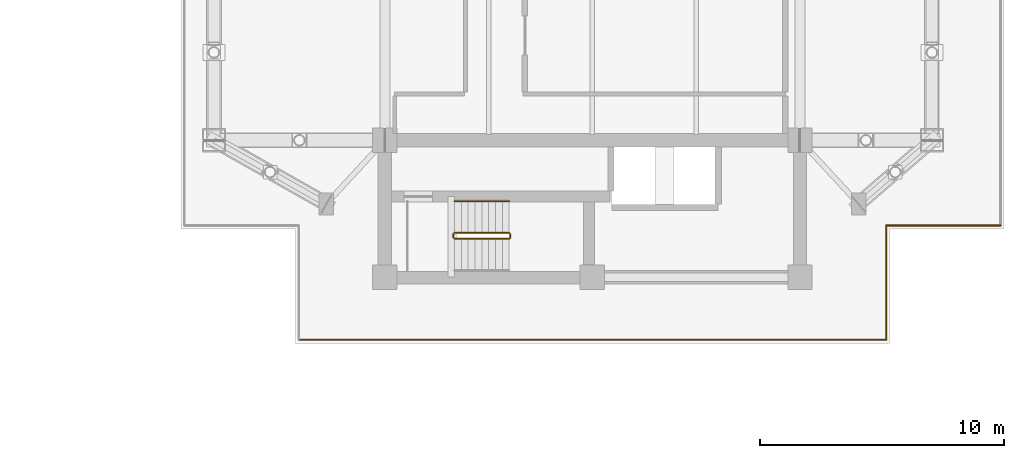
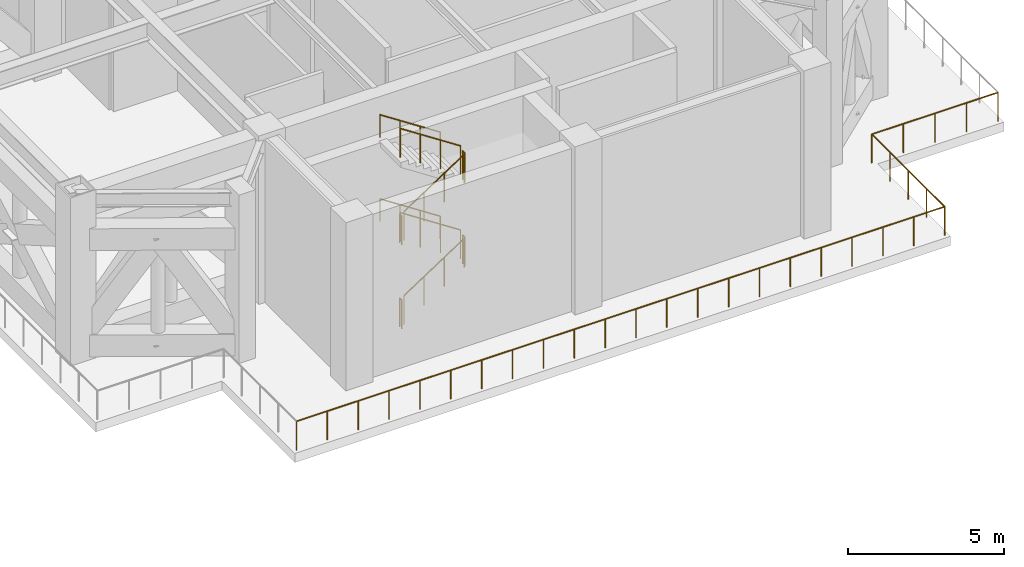
# One storey, part 16 of 18: 13 railings.
"""IFC4 building model written with IfcOpenShell, lengths in metres."""

from ifc_helpers import new_model, si_unit, direction, frame, origin, origin_2d, place, context, subcontext, project, spatial, circle, extrude, material, type_object, element, save


model = new_model("IFC4")

# Units and contexts
model_context = context("Model", 3, precision=1e-05, world=origin(), true_north=direction((0.0, 1.0)))
body_context = subcontext(model_context, "Body", "Model", "MODEL_VIEW")
ifc_project = project(units=[si_unit("LENGTHUNIT", "METRE"), si_unit("AREAUNIT", "SQUARE_METRE"), si_unit("VOLUMEUNIT", "CUBIC_METRE"), si_unit("PLANEANGLEUNIT", "RADIAN"), si_unit("MASSUNIT", "GRAM", prefix="KILO")], contexts=[model_context])

# Site, building, storey
site_placement = place(None, origin())
site = spatial("IfcSite", under=ifc_project, at=site_placement, CompositionType="ELEMENT")
building_placement = place(site_placement, origin())
building = spatial("IfcBuilding", under=site, at=building_placement, Name="Mirazonda Arch Towers", CompositionType="ELEMENT")
storey_placement = place(building_placement, frame((0.0, 0.0, 147.800048828125)))
storey = spatial("IfcBuildingStorey", under=building, at=storey_placement, Name="L42", CompositionType="ELEMENT", Elevation=147.800048828125)

# Railings
ifc_material = material(Name="Architectural Brushed Steel S355", Category="steel")
railing_type_1 = type_object("IfcRailingType", Name="GUARD-EXT-1150", PredefinedType="GUARDRAIL", material=ifc_material)
railing_1_placement = place(storey_placement, frame((64.47265625, 12.62841796875, 0.0)))
element("IfcRailing", 1, at=railing_1_placement, inside=storey, type_object=railing_type_1, Name="L42 T2 Open Wind-Portal Perimeter Guard 01", PredefinedType="GUARDRAIL", context=body_context, shape_type="SweptSolid", body=[
    extrude(circle(Radius=0.02392578125, at=origin_2d()), frame((0.0, 0.0, 1.1259765625), z_axis=(1.0, 0.0, 0.0), x_axis=(0.0, 1.0, 0.0)), (0.0, 0.0, 1.0), 24.0546875),
    extrude(circle(Radius=0.02099609375, at=origin_2d()), origin(), (0.0, 0.0, 1.0), 1.101806640625),
    extrude(circle(Radius=0.02099609375, at=origin_2d()), frame((1.1455078125, 0.0, 0.0)), (0.0, 0.0, 1.0), 1.101806640625),
    extrude(circle(Radius=0.02099609375, at=origin_2d()), frame((2.291015625, 0.0, 0.0)), (0.0, 0.0, 1.0), 1.101806640625),
    extrude(circle(Radius=0.02099609375, at=origin_2d()), frame((3.436279296875, 0.0, 0.0)), (0.0, 0.0, 1.0), 1.101806640625),
    extrude(circle(Radius=0.02099609375, at=origin_2d()), frame((4.581787109375, 0.0, 0.0)), (0.0, 0.0, 1.0), 1.101806640625),
    extrude(circle(Radius=0.02099609375, at=origin_2d()), frame((5.727294921875, 0.0, 0.0)), (0.0, 0.0, 1.0), 1.101806640625),
    extrude(circle(Radius=0.02099609375, at=origin_2d()), frame((6.872802734375, 0.0, 0.0)), (0.0, 0.0, 1.0), 1.101806640625),
    extrude(circle(Radius=0.02099609375, at=origin_2d()), frame((8.018310546875, 0.0, 0.0)), (0.0, 0.0, 1.0), 1.101806640625),
    extrude(circle(Radius=0.02099609375, at=origin_2d()), frame((9.16357421875, 0.0, 0.0)), (0.0, 0.0, 1.0), 1.101806640625),
    extrude(circle(Radius=0.02099609375, at=origin_2d()), frame((10.30908203125, 0.0, 0.0)), (0.0, 0.0, 1.0), 1.101806640625),
    extrude(circle(Radius=0.02099609375, at=origin_2d()), frame((11.45458984375, 0.0, 0.0)), (0.0, 0.0, 1.0), 1.101806640625),
    extrude(circle(Radius=0.02099609375, at=origin_2d()), frame((12.60009765625, 0.0, 0.0)), (0.0, 0.0, 1.0), 1.101806640625),
    extrude(circle(Radius=0.02099609375, at=origin_2d()), frame((13.74560546875, 0.0, 0.0)), (0.0, 0.0, 1.0), 1.101806640625),
    extrude(circle(Radius=0.02099609375, at=origin_2d()), frame((14.89111328125, 0.0, 0.0)), (0.0, 0.0, 1.0), 1.101806640625),
    extrude(circle(Radius=0.02099609375, at=origin_2d()), frame((16.036376953125, 0.0, 0.0)), (0.0, 0.0, 1.0), 1.101806640625),
    extrude(circle(Radius=0.02099609375, at=origin_2d()), frame((17.181884765625, 0.0, 0.0)), (0.0, 0.0, 1.0), 1.101806640625),
    extrude(circle(Radius=0.02099609375, at=origin_2d()), frame((18.327392578125, 0.0, 0.0)), (0.0, 0.0, 1.0), 1.101806640625),
    extrude(circle(Radius=0.02099609375, at=origin_2d()), frame((19.472900390625, 0.0, 0.0)), (0.0, 0.0, 1.0), 1.101806640625),
    extrude(circle(Radius=0.02099609375, at=origin_2d()), frame((20.618408203125, 0.0, 0.0)), (0.0, 0.0, 1.0), 1.101806640625),
    extrude(circle(Radius=0.02099609375, at=origin_2d()), frame((21.763671875, 0.0, 0.0)), (0.0, 0.0, 1.0), 1.101806640625),
    extrude(circle(Radius=0.02099609375, at=origin_2d()), frame((22.9091796875, 0.0, 0.0)), (0.0, 0.0, 1.0), 1.101806640625),
    extrude(circle(Radius=0.02099609375, at=origin_2d()), frame((24.0546875, 0.0, 0.0)), (0.0, 0.0, 1.0), 1.101806640625),
])
railing_2_placement = place(storey_placement, frame((88.52734375, 12.62841796875, 0.0)))
element("IfcRailing", 2, at=railing_2_placement, inside=storey, type_object=railing_type_1, Name="L42 T2 Open Wind-Portal Perimeter Guard 02", PredefinedType="GUARDRAIL", context=body_context, shape_type="SweptSolid", body=[
    extrude(circle(Radius=0.02392578125, at=origin_2d()), frame((0.0, 0.0, 1.1259765625), z_axis=(0.0, 1.0, 0.0), x_axis=(-1.0, 0.0, 0.0)), (0.0, 0.0, 1.0), 4.685302734375),
    extrude(circle(Radius=0.02099609375, at=origin_2d()), origin(), (0.0, 0.0, 1.0), 1.101806640625),
    extrude(circle(Radius=0.02099609375, at=origin_2d()), frame((0.0, 1.17138671875, 0.0)), (0.0, 0.0, 1.0), 1.101806640625),
    extrude(circle(Radius=0.02099609375, at=origin_2d()), frame((0.0, 2.3427734375, 0.0)), (0.0, 0.0, 1.0), 1.101806640625),
    extrude(circle(Radius=0.02099609375, at=origin_2d()), frame((0.0, 3.513916015625, 0.0)), (0.0, 0.0, 1.0), 1.101806640625),
    extrude(circle(Radius=0.02099609375, at=origin_2d()), frame((0.0, 4.685302734375, 0.0)), (0.0, 0.0, 1.0), 1.101806640625),
])
railing_3_placement = place(storey_placement, frame((88.52734375, 17.313720703125, 0.0)))
element("IfcRailing", 3, at=railing_3_placement, inside=storey, type_object=railing_type_1, Name="L42 T2 Open Wind-Portal Perimeter Guard 03", PredefinedType="GUARDRAIL", context=body_context, shape_type="SweptSolid", body=[
    extrude(circle(Radius=0.02392578125, at=origin_2d()), frame((0.0, 0.0, 1.1259765625), z_axis=(1.0, 0.0, 0.0), x_axis=(0.0, 1.0, 0.0)), (0.0, 0.0, 1.0), 4.68505859375),
    extrude(circle(Radius=0.02099609375, at=origin_2d()), origin(), (0.0, 0.0, 1.0), 1.101806640625),
    extrude(circle(Radius=0.02099609375, at=origin_2d()), frame((1.17138671875, 0.0, 0.0)), (0.0, 0.0, 1.0), 1.101806640625),
    extrude(circle(Radius=0.02099609375, at=origin_2d()), frame((2.342529296875, 0.0, 0.0)), (0.0, 0.0, 1.0), 1.101806640625),
    extrude(circle(Radius=0.02099609375, at=origin_2d()), frame((3.513671875, 0.0, 0.0)), (0.0, 0.0, 1.0), 1.101806640625),
    extrude(circle(Radius=0.02099609375, at=origin_2d()), frame((4.68505859375, 0.0, 0.0)), (0.0, 0.0, 1.0), 1.101806640625),
])
railing_type_2 = type_object("IfcRailingType", Name="GUARD-STAIR-1120", PredefinedType="GUARDRAIL", material=ifc_material)
railing_4_placement = place(storey_placement, frame((70.85009765625, 16.77001953125, 0.183349609375)))
element("IfcRailing", 4, at=railing_4_placement, inside=storey, type_object=railing_type_2, Name="L42 ST-T2S stair guard 1", PredefinedType="GUARDRAIL", context=body_context, shape_type="SweptSolid", body=[
    extrude(circle(Radius=0.02392578125, at=origin_2d()), frame((0.0, 0.0, 1.1259765625), z_axis=(0.836636935527, 0.0, 0.547757827979), x_axis=(0.0, 1.0, 0.0)), (0.0, 0.0, 1.0), 2.677490234375),
    extrude(circle(Radius=0.02099609375, at=origin_2d()), origin(), (0.0, 0.0, 1.0), 1.101806640625),
    extrude(circle(Radius=0.02099609375, at=origin_2d()), frame((0.74658203125, 0.0, 0.48876953125)), (0.0, 0.0, 1.0), 1.101806640625),
    extrude(circle(Radius=0.02099609375, at=origin_2d()), frame((1.493408203125, 0.0, 0.977783203125)), (0.0, 0.0, 1.0), 1.101806640625),
    extrude(circle(Radius=0.02099609375, at=origin_2d()), frame((2.239990234375, 0.0, 1.466552734375)), (0.0, 0.0, 1.0), 1.101806640625),
])
railing_5_placement = place(storey_placement, frame((73.139892578125, 16.820068359375, 1.64990234375)))
element("IfcRailing", 5, at=railing_5_placement, inside=storey, type_object=railing_type_2, Name="L42 ST-T2S stair guard 2", PredefinedType="GUARDRAIL", context=body_context, shape_type="SweptSolid", body=[
    extrude(circle(Radius=0.02392578125, at=origin_2d()), frame((0.0, 0.0, 1.1259765625), z_axis=(0.0, 1.0, 0.0), x_axis=(-1.0, 0.0, 0.0)), (0.0, 0.0, 1.0), 0.139892578125),
    extrude(circle(Radius=0.02099609375, at=origin_2d()), origin(), (0.0, 0.0, 1.0), 1.101806640625),
    extrude(circle(Radius=0.02099609375, at=origin_2d()), frame((0.0, 0.139892578125, 0.0)), (0.0, 0.0, 1.0), 1.101806640625),
])
railing_6_placement = place(storey_placement, frame((73.090087890625, 17.010009765625, 1.833251953125)))
element("IfcRailing", 6, at=railing_6_placement, inside=storey, type_object=railing_type_2, Name="L42 ST-T2S stair guard 3", PredefinedType="GUARDRAIL", context=body_context, shape_type="SweptSolid", body=[
    extrude(circle(Radius=0.02392578125, at=origin_2d()), frame((0.0, 0.0, 1.1259765625), z_axis=(-0.836595146698, 0.0, 0.547821650285), x_axis=(0.0, -1.0, 0.0)), (0.0, 0.0, 1.0), 2.677490234375),
    extrude(circle(Radius=0.02099609375, at=origin_2d()), origin(), (0.0, 0.0, 1.0), 1.101806640625),
    extrude(circle(Radius=0.02099609375, at=origin_2d()), frame((-0.74658203125, 0.0, 0.489013671875)), (0.0, 0.0, 1.0), 1.101806640625),
    extrude(circle(Radius=0.02099609375, at=origin_2d()), frame((-1.493408203125, 0.0, 0.977783203125)), (0.0, 0.0, 1.0), 1.101806640625),
    extrude(circle(Radius=0.02099609375, at=origin_2d()), frame((-2.239990234375, 0.0, 1.466796875)), (0.0, 0.0, 1.0), 1.101806640625),
])
railing_7_placement = place(storey_placement, frame((70.800048828125, 16.820068359375, 3.300048828125)))
element("IfcRailing", 7, at=railing_7_placement, inside=storey, type_object=railing_type_2, Name="L42 ST-T2S stair guard 4", PredefinedType="GUARDRAIL", context=body_context, shape_type="SweptSolid", body=[
    extrude(circle(Radius=0.02392578125, at=origin_2d()), frame((0.0, 0.0, 1.1259765625), z_axis=(0.0, 1.0, 0.0), x_axis=(-1.0, 0.0, 0.0)), (0.0, 0.0, 1.0), 0.139892578125),
    extrude(circle(Radius=0.02099609375, at=origin_2d()), origin(), (0.0, 0.0, 1.0), 1.101806640625),
    extrude(circle(Radius=0.02099609375, at=origin_2d()), frame((0.0, 0.139892578125, 0.0)), (0.0, 0.0, 1.0), 1.101806640625),
])
railing_8_placement = place(storey_placement, frame((70.85009765625, 16.77001953125, 3.4833984375)))
element("IfcRailing", 8, at=railing_8_placement, inside=storey, type_object=railing_type_2, Name="L42 ST-T2S stair guard 5", PredefinedType="GUARDRAIL", context=body_context, shape_type="SweptSolid", body=[
    extrude(circle(Radius=0.02392578125, at=origin_2d()), frame((0.0, 0.0, 1.1259765625), z_axis=(0.836636935527, 0.0, 0.547757827979), x_axis=(0.0, 1.0, 0.0)), (0.0, 0.0, 1.0), 2.677490234375),
    extrude(circle(Radius=0.02099609375, at=origin_2d()), origin(), (0.0, 0.0, 1.0), 1.101806640625),
    extrude(circle(Radius=0.02099609375, at=origin_2d()), frame((0.74658203125, 0.0, 0.48876953125)), (0.0, 0.0, 1.0), 1.101806640625),
    extrude(circle(Radius=0.02099609375, at=origin_2d()), frame((1.493408203125, 0.0, 0.977783203125)), (0.0, 0.0, 1.0), 1.101806640625),
    extrude(circle(Radius=0.02099609375, at=origin_2d()), frame((2.239990234375, 0.0, 1.466552734375)), (0.0, 0.0, 1.0), 1.101806640625),
])
railing_9_placement = place(storey_placement, frame((73.139892578125, 16.820068359375, 4.949951171875)))
element("IfcRailing", 9, at=railing_9_placement, inside=storey, type_object=railing_type_2, Name="L42 ST-T2S stair guard 6", PredefinedType="GUARDRAIL", context=body_context, shape_type="SweptSolid", body=[
    extrude(circle(Radius=0.02392578125, at=origin_2d()), frame((0.0, 0.0, 1.1259765625), z_axis=(0.0, 1.0, 0.0), x_axis=(-1.0, 0.0, 0.0)), (0.0, 0.0, 1.0), 0.139892578125),
    extrude(circle(Radius=0.02099609375, at=origin_2d()), origin(), (0.0, 0.0, 1.0), 1.101806640625),
    extrude(circle(Radius=0.02099609375, at=origin_2d()), frame((0.0, 0.139892578125, 0.0)), (0.0, 0.0, 1.0), 1.101806640625),
])
railing_10_placement = place(storey_placement, frame((73.090087890625, 17.010009765625, 5.13330078125)))
element("IfcRailing", 10, at=railing_10_placement, inside=storey, type_object=railing_type_2, Name="L42 ST-T2S stair guard 7", PredefinedType="GUARDRAIL", context=body_context, shape_type="SweptSolid", body=[
    extrude(circle(Radius=0.02392578125, at=origin_2d()), frame((0.0, 0.0, 1.1259765625), z_axis=(-0.836636935527, 0.0, 0.547757827979), x_axis=(0.0, -1.0, 0.0)), (0.0, 0.0, 1.0), 2.677490234375),
    extrude(circle(Radius=0.02099609375, at=origin_2d()), origin(), (0.0, 0.0, 1.0), 1.101806640625),
    extrude(circle(Radius=0.02099609375, at=origin_2d()), frame((-0.74658203125, 0.0, 0.48876953125)), (0.0, 0.0, 1.0), 1.101806640625),
    extrude(circle(Radius=0.02099609375, at=origin_2d()), frame((-1.493408203125, 0.0, 0.977783203125)), (0.0, 0.0, 1.0), 1.101806640625),
    extrude(circle(Radius=0.02099609375, at=origin_2d()), frame((-2.239990234375, 0.0, 1.466552734375)), (0.0, 0.0, 1.0), 1.101806640625),
])
railing_11_placement = place(storey_placement, frame((70.800048828125, 16.820068359375, 0.0)))
element("IfcRailing", 11, at=railing_11_placement, inside=storey, type_object=railing_type_2, Name="L42 ST-T2S stair guard 8", PredefinedType="GUARDRAIL", context=body_context, shape_type="SweptSolid", body=[
    extrude(circle(Radius=0.02392578125, at=origin_2d()), frame((0.0, 0.0, 1.1259765625), z_axis=(0.0, 1.0, 0.0), x_axis=(-1.0, 0.0, 0.0)), (0.0, 0.0, 1.0), 0.139892578125),
    extrude(circle(Radius=0.02099609375, at=origin_2d()), origin(), (0.0, 0.0, 1.0), 1.101806640625),
    extrude(circle(Radius=0.02099609375, at=origin_2d()), frame((0.0, 0.139892578125, 0.0)), (0.0, 0.0, 1.0), 1.101806640625),
])
railing_type_3 = type_object("IfcRailingType", Name="HANDRAIL-915", PredefinedType="HANDRAIL", material=ifc_material)
railing_12_placement = place(storey_placement, frame((73.090087890625, 18.31005859375, 1.833251953125)))
element("IfcRailing", 12, at=railing_12_placement, inside=storey, type_object=railing_type_3, Name="L42 ST-T2S stair handrail 2", PredefinedType="HANDRAIL", context=body_context, shape_type="SweptSolid", body=[
    extrude(circle(Radius=0.02392578125, at=origin_2d()), frame((0.0, 0.0, 0.8759765625), z_axis=(-0.836595146698, 0.0, 0.547821650285), x_axis=(0.0, -1.0, 0.0)), (0.0, 0.0, 1.0), 2.677490234375),
    extrude(circle(Radius=0.02099609375, at=origin_2d()), origin(), (0.0, 0.0, 1.0), 0.851806640625),
    extrude(circle(Radius=0.02099609375, at=origin_2d()), frame((-0.74658203125, 0.0, 0.489013671875)), (0.0, 0.0, 1.0), 0.851806640625),
    extrude(circle(Radius=0.02099609375, at=origin_2d()), frame((-1.493408203125, 0.0, 0.977783203125)), (0.0, 0.0, 1.0), 0.851806640625),
    extrude(circle(Radius=0.02099609375, at=origin_2d()), frame((-2.239990234375, 0.0, 1.466796875)), (0.0, 0.0, 1.0), 0.851806640625),
])
railing_13_placement = place(storey_placement, frame((73.090087890625, 18.31005859375, 5.13330078125)))
element("IfcRailing", 13, at=railing_13_placement, inside=storey, type_object=railing_type_3, Name="L42 ST-T2S stair handrail 4", PredefinedType="HANDRAIL", context=body_context, shape_type="SweptSolid", body=[
    extrude(circle(Radius=0.02392578125, at=origin_2d()), frame((0.0, 0.0, 0.8759765625), z_axis=(-0.836636935527, 0.0, 0.547757827979), x_axis=(0.0, -1.0, 0.0)), (0.0, 0.0, 1.0), 2.677490234375),
    extrude(circle(Radius=0.02099609375, at=origin_2d()), origin(), (0.0, 0.0, 1.0), 0.851806640625),
    extrude(circle(Radius=0.02099609375, at=origin_2d()), frame((-0.74658203125, 0.0, 0.48876953125)), (0.0, 0.0, 1.0), 0.851806640625),
    extrude(circle(Radius=0.02099609375, at=origin_2d()), frame((-1.493408203125, 0.0, 0.977783203125)), (0.0, 0.0, 1.0), 0.851806640625),
    extrude(circle(Radius=0.02099609375, at=origin_2d()), frame((-2.239990234375, 0.0, 1.466552734375)), (0.0, 0.0, 1.0), 0.851806640625),
])

save(model, "model.ifc")
